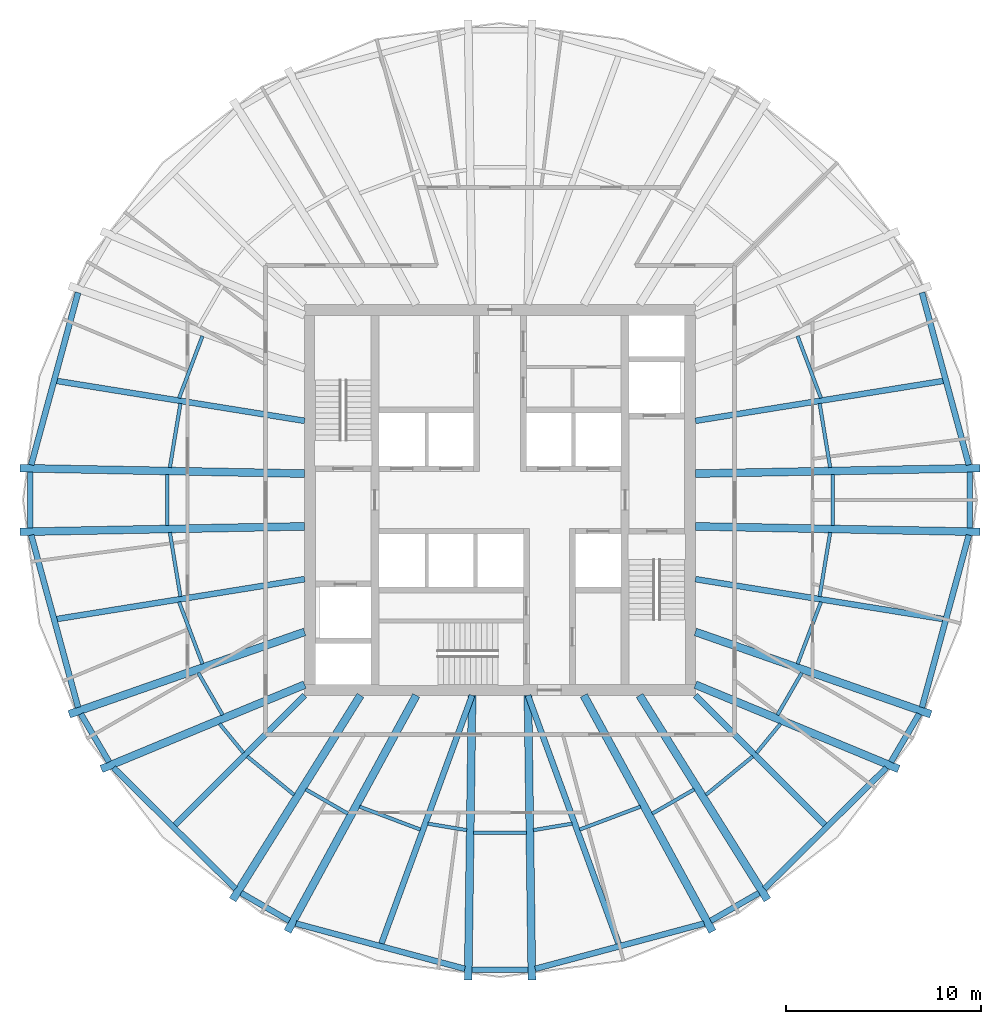
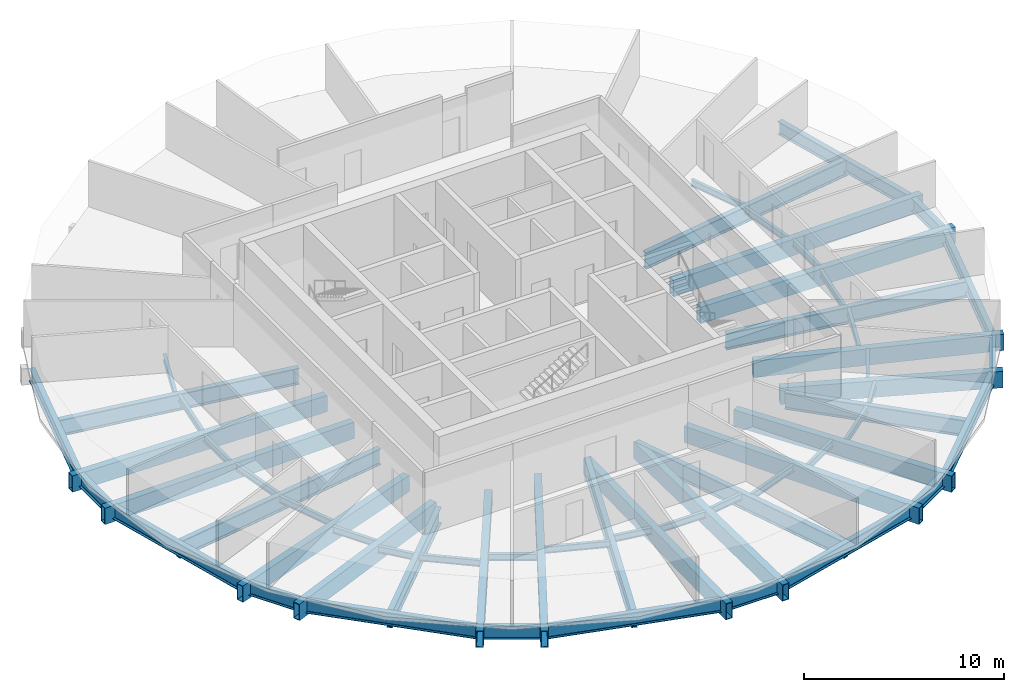
# One storey, part 1 of 6: 60 beams.
"""IFC4 building model written with IfcOpenShell, lengths in metres."""

from ifc_helpers import new_model, si_unit, direction, frame, origin, origin_2d, place, context, subcontext, project, spatial, hollow_rectangle, i_section, extrude, material, material_profile, profile_set, type_object, element, save


model = new_model("IFC4")

# Units and contexts
model_context = context("Model", 3, precision=1e-05, world=origin(), true_north=direction((0.0, 1.0)))
body_context = subcontext(model_context, "Body", "Model", "MODEL_VIEW")
ifc_project = project(units=[si_unit("LENGTHUNIT", "METRE"), si_unit("AREAUNIT", "SQUARE_METRE"), si_unit("VOLUMEUNIT", "CUBIC_METRE"), si_unit("PLANEANGLEUNIT", "RADIAN"), si_unit("MASSUNIT", "GRAM", prefix="KILO")], contexts=[model_context])

# Site, building, storey
site_placement = place(None, origin())
site = spatial("IfcSite", under=ifc_project, at=site_placement, CompositionType="ELEMENT")
building_placement = place(site_placement, origin())
building = spatial("IfcBuilding", under=site, at=building_placement, Name="Golbaran Civic Tower", CompositionType="ELEMENT")
storey_placement = place(building_placement, frame((0.0, 0.0, 122.0)))
storey = spatial("IfcBuildingStorey", under=building, at=storey_placement, Name="L29", CompositionType="ELEMENT", Elevation=122.0)

# Beams
ifc_material = material(Name="Steel S355", Category="steel")
ifc_material_profile_1 = material_profile(ifc_material, i_section(OverallWidth=0.300048828125, OverallDepth=0.800048828125, WebThickness=0.017578125, FlangeThickness=0.032958984375, FilletRadius=0.030029296875, at=origin_2d()), Name="HEB 800")
ifc_profile_set_1 = profile_set([ifc_material_profile_1], Name="Steel S355")
beam_type_1 = type_object("IfcBeamType", Name="EDGE BEAM HEB 800", PredefinedType="BEAM", material=ifc_profile_set_1)
for number, where, z_axis, x_axis, name in (
    (1, (23.990966796875, 1.79736328125, -0.60009765625), (-0.262619988376, 0.964899342784, 0.0), (-0.964899342784, -0.262619988376, 0.0), "Edge beam 3.73 L29"),
    (2, (-21.59130859375, 10.614013671875, -0.60009765625), (-0.262619988376, -0.964899342784, 0.0), (0.964899342784, -0.262619988376, 0.0), "Edge beam 153.73 L29"),
):
    element("IfcBeam", number, at=place(storey_placement, frame(where, z_axis=z_axis, x_axis=x_axis)), inside=storey, type_object=beam_type_1, Name=name, PredefinedType="BEAM", context=body_context, shape_type="SweptSolid", body=[
        extrude(i_section(OverallWidth=0.300048828125, OverallDepth=0.800048828125, WebThickness=0.017578125, FlangeThickness=0.032958984375, FilletRadius=0.030029296875, at=origin_2d()), origin(), (0.0, 0.0, 1.0), 9.137451171875),
    ])
beam_1_placement = place(storey_placement, frame((-24.039794921875, 1.438232421875, -0.60009765625), z_axis=(0.0, -1.0, 0.0), x_axis=(1.0, 0.0, 0.0)))
element("IfcBeam", 3, at=beam_1_placement, inside=storey, type_object=beam_type_1, Name="Edge beam 176.27 L29", PredefinedType="BEAM", context=body_context, shape_type="SweptSolid", body=[
    extrude(i_section(OverallWidth=0.300048828125, OverallDepth=0.800048828125, WebThickness=0.017578125, FlangeThickness=0.032958984375, FilletRadius=0.030029296875, at=origin_2d()), origin(), (0.0, 0.0, 1.0), 2.87646484375),
])
beam_2_placement = place(storey_placement, frame((-23.990966796875, -1.79736328125, -0.60009765625), z_axis=(0.262619988376, -0.964899342784, 0.0), x_axis=(0.964899342784, 0.262619988376, 0.0)))
element("IfcBeam", 4, at=beam_2_placement, inside=storey, type_object=beam_type_1, Name="Edge beam 183.73 L29", PredefinedType="BEAM", context=body_context, shape_type="SweptSolid", body=[
    extrude(i_section(OverallWidth=0.300048828125, OverallDepth=0.800048828125, WebThickness=0.017578125, FlangeThickness=0.032958984375, FilletRadius=0.030029296875, at=origin_2d()), origin(), (0.0, 0.0, 1.0), 9.137451171875),
])
beam_3_placement = place(storey_placement, frame((-21.450927734375, -10.946533203125, -0.60009765625), z_axis=(0.506455190342, -0.862266281479, 0.0), x_axis=(0.862266281479, 0.506455190342, 0.0)))
element("IfcBeam", 5, at=beam_3_placement, inside=storey, type_object=beam_type_1, Name="Edge beam 206.27 L29", PredefinedType="BEAM", context=body_context, shape_type="SweptSolid", body=[
    extrude(i_section(OverallWidth=0.300048828125, OverallDepth=0.800048828125, WebThickness=0.017578125, FlangeThickness=0.032958984375, FilletRadius=0.030029296875, at=origin_2d()), origin(), (0.0, 0.0, 1.0), 2.852294921875),
])
beam_4_placement = place(storey_placement, frame((-19.775634765625, -13.7001953125, -0.60009765625), z_axis=(0.709865609088, -0.704337147277, 0.0), x_axis=(0.704337147277, 0.709865609088, 0.0)))
element("IfcBeam", 6, at=beam_4_placement, inside=storey, type_object=beam_type_1, Name="Edge beam 213.73 L29", PredefinedType="BEAM", context=body_context, shape_type="SweptSolid", body=[
    extrude(i_section(OverallWidth=0.300048828125, OverallDepth=0.800048828125, WebThickness=0.017578125, FlangeThickness=0.032958984375, FilletRadius=0.030029296875, at=origin_2d()), origin(), (0.0, 0.0, 1.0), 8.7880859375),
])
beam_5_placement = place(storey_placement, frame((-13.250244140625, -20.10986328125, -0.60009765625), z_axis=(0.866144257683, -0.49979408248, 0.0), x_axis=(0.49979408248, 0.866144257683, 0.0)))
element("IfcBeam", 7, at=beam_5_placement, inside=storey, type_object=beam_type_1, Name="Edge beam 236.27 L29", PredefinedType="BEAM", context=body_context, shape_type="SweptSolid", body=[
    extrude(i_section(OverallWidth=0.300048828125, OverallDepth=0.800048828125, WebThickness=0.017578125, FlangeThickness=0.032958984375, FilletRadius=0.030029296875, at=origin_2d()), origin(), (0.0, 0.0, 1.0), 2.852294921875),
])
beam_6_placement = place(storey_placement, frame((-10.445068359375, -21.67333984375, -0.60009765625), z_axis=(0.965861656645, -0.259058410831, 0.0), x_axis=(0.259058410831, 0.965861656645, 0.0)))
element("IfcBeam", 8, at=beam_6_placement, inside=storey, type_object=beam_type_1, Name="Edge beam 243.73 L29", PredefinedType="BEAM", context=body_context, shape_type="SweptSolid", body=[
    extrude(i_section(OverallWidth=0.300048828125, OverallDepth=0.800048828125, WebThickness=0.017578125, FlangeThickness=0.032958984375, FilletRadius=0.030029296875, at=origin_2d()), origin(), (0.0, 0.0, 1.0), 8.947265625),
])
beam_7_placement = place(storey_placement, frame((-1.44384765625, -24.039306640625, -0.60009765625), z_axis=(1.0, 0.0, 0.0), x_axis=(0.0, 1.0, 0.0)))
element("IfcBeam", 9, at=beam_7_placement, inside=storey, type_object=beam_type_1, Name="Edge beam 266.27 L29", PredefinedType="BEAM", context=body_context, shape_type="SweptSolid", body=[
    extrude(i_section(OverallWidth=0.300048828125, OverallDepth=0.800048828125, WebThickness=0.017578125, FlangeThickness=0.032958984375, FilletRadius=0.030029296875, at=origin_2d()), origin(), (0.0, 0.0, 1.0), 2.8876953125),
])
beam_8_placement = place(storey_placement, frame((1.80322265625, -23.9912109375, -0.60009765625), z_axis=(0.965861656645, 0.259058410831, 0.0), x_axis=(-0.259058410831, 0.965861656645, 0.0)))
element("IfcBeam", 10, at=beam_8_placement, inside=storey, type_object=beam_type_1, Name="Edge beam 273.73 L29", PredefinedType="BEAM", context=body_context, shape_type="SweptSolid", body=[
    extrude(i_section(OverallWidth=0.300048828125, OverallDepth=0.800048828125, WebThickness=0.017578125, FlangeThickness=0.032958984375, FilletRadius=0.030029296875, at=origin_2d()), origin(), (0.0, 0.0, 1.0), 8.947265625),
])
beam_9_placement = place(storey_placement, frame((10.77978515625, -21.535400390625, -0.60009765625), z_axis=(0.866144257683, 0.49979408248, 0.0), x_axis=(-0.49979408248, 0.866144257683, 0.0)))
element("IfcBeam", 11, at=beam_9_placement, inside=storey, type_object=beam_type_1, Name="Edge beam 296.27 L29", PredefinedType="BEAM", context=body_context, shape_type="SweptSolid", body=[
    extrude(i_section(OverallWidth=0.300048828125, OverallDepth=0.800048828125, WebThickness=0.017578125, FlangeThickness=0.032958984375, FilletRadius=0.030029296875, at=origin_2d()), origin(), (0.0, 0.0, 1.0), 2.852294921875),
])
beam_10_placement = place(storey_placement, frame((13.537353515625, -19.889892578125, -0.60009765625), z_axis=(0.709865609088, 0.704337147277, 0.0), x_axis=(-0.704337147277, 0.709865609088, 0.0)))
element("IfcBeam", 12, at=beam_10_placement, inside=storey, type_object=beam_type_1, Name="Edge beam 303.73 L29", PredefinedType="BEAM", context=body_context, shape_type="SweptSolid", body=[
    extrude(i_section(OverallWidth=0.300048828125, OverallDepth=0.800048828125, WebThickness=0.017578125, FlangeThickness=0.032958984375, FilletRadius=0.030029296875, at=origin_2d()), origin(), (0.0, 0.0, 1.0), 8.7880859375),
])
beam_11_placement = place(storey_placement, frame((20.00634765625, -13.406005859375, -0.60009765625), z_axis=(0.506455190342, 0.862266281479, 0.0), x_axis=(-0.862266281479, 0.506455190342, 0.0)))
element("IfcBeam", 13, at=beam_11_placement, inside=storey, type_object=beam_type_1, Name="Edge beam 326.27 L29", PredefinedType="BEAM", context=body_context, shape_type="SweptSolid", body=[
    extrude(i_section(OverallWidth=0.300048828125, OverallDepth=0.800048828125, WebThickness=0.017578125, FlangeThickness=0.032958984375, FilletRadius=0.030029296875, at=origin_2d()), origin(), (0.0, 0.0, 1.0), 2.852294921875),
])
beam_12_placement = place(storey_placement, frame((21.59130859375, -10.614013671875, -0.60009765625), z_axis=(0.262619988376, 0.964899342784, 0.0), x_axis=(-0.964899342784, 0.262619988376, 0.0)))
element("IfcBeam", 14, at=beam_12_placement, inside=storey, type_object=beam_type_1, Name="Edge beam 333.73 L29", PredefinedType="BEAM", context=body_context, shape_type="SweptSolid", body=[
    extrude(i_section(OverallWidth=0.300048828125, OverallDepth=0.800048828125, WebThickness=0.017578125, FlangeThickness=0.032958984375, FilletRadius=0.030029296875, at=origin_2d()), origin(), (0.0, 0.0, 1.0), 9.137451171875),
])
beam_13_placement = place(storey_placement, frame((24.039794921875, -1.438232421875, -0.60009765625), z_axis=(0.0, 1.0, 0.0), x_axis=(-1.0, 0.0, 0.0)))
element("IfcBeam", 15, at=beam_13_placement, inside=storey, type_object=beam_type_1, Name="Edge beam 356.27 L29", PredefinedType="BEAM", context=body_context, shape_type="SweptSolid", body=[
    extrude(i_section(OverallWidth=0.300048828125, OverallDepth=0.800048828125, WebThickness=0.017578125, FlangeThickness=0.032958984375, FilletRadius=0.030029296875, at=origin_2d()), origin(), (0.0, 0.0, 1.0), 2.87646484375),
])
ifc_material_profile_2 = material_profile(ifc_material, i_section(OverallWidth=0.179931640625, OverallDepth=0.39990234375, WebThickness=0.008544921875, FlangeThickness=0.013427734375, FilletRadius=0.02099609375, at=origin_2d()), Name="IPE 400")
ifc_profile_set_2 = profile_set([ifc_material_profile_2], Name="Steel S355")
beam_type_2 = type_object("IfcBeamType", Name="FLOOR INFILL BEAM IPE 400", PredefinedType="BEAM", material=ifc_profile_set_2)
beam_14_placement = place(storey_placement, frame((16.894775390625, 1.66162109375, -0.39990234375), z_axis=(-0.162683667256, 0.986678278066, 0.0), x_axis=(-0.986678278066, -0.162683667256, 0.0)))
element("IfcBeam", 16, at=beam_14_placement, inside=storey, type_object=beam_type_2, Name="Infill beam 9.36 L29", PredefinedType="BEAM", context=body_context, shape_type="SweptSolid", body=[
    extrude(i_section(OverallWidth=0.179931640625, OverallDepth=0.39990234375, WebThickness=0.008544921875, FlangeThickness=0.013427734375, FilletRadius=0.02099609375, at=origin_2d()), origin(), (0.0, 0.0, 1.0), 3.323974609375),
])
for number, where, z_axis, x_axis, name in (
    (17, (16.421630859375, 5.215576171875, -0.39990234375), (-0.352425498289, 0.935839873138, 0.0), (-0.935839873138, -0.352425498289, 0.0), "Infill beam 20.64 L29"),
    (18, (-15.22705078125, 8.3876953125, -0.39990234375), (-0.352425498289, -0.935839873138, 0.0), (0.935839873138, -0.352425498289, 0.0), "Infill beam 159.36 L29"),
):
    element("IfcBeam", number, at=place(storey_placement, frame(where, z_axis=z_axis, x_axis=x_axis)), inside=storey, type_object=beam_type_2, Name=name, PredefinedType="BEAM", context=body_context, shape_type="SweptSolid", body=[
        extrude(i_section(OverallWidth=0.179931640625, OverallDepth=0.39990234375, WebThickness=0.008544921875, FlangeThickness=0.013427734375, FilletRadius=0.02099609375, at=origin_2d()), origin(), (0.0, 0.0, 1.0), 3.3896484375),
    ])
beam_15_placement = place(storey_placement, frame((-16.35400390625, 4.94140625, -0.39990234375), z_axis=(-0.162683667256, -0.986678278066, 0.0), x_axis=(0.986678278066, -0.162683667256, 0.0)))
element("IfcBeam", 19, at=beam_15_placement, inside=storey, type_object=beam_type_2, Name="Infill beam 170.64 L29", PredefinedType="BEAM", context=body_context, shape_type="SweptSolid", body=[
    extrude(i_section(OverallWidth=0.179931640625, OverallDepth=0.39990234375, WebThickness=0.008544921875, FlangeThickness=0.013427734375, FilletRadius=0.02099609375, at=origin_2d()), origin(), (0.0, 0.0, 1.0), 3.323974609375),
])
beam_16_placement = place(storey_placement, frame((-17.019775390625, 1.303955078125, -0.39990234375), z_axis=(0.0, -1.0, 0.0), x_axis=(1.0, 0.0, 0.0)))
element("IfcBeam", 20, at=beam_16_placement, inside=storey, type_object=beam_type_2, Name="Infill beam 180.00 L29", PredefinedType="BEAM", context=body_context, shape_type="SweptSolid", body=[
    extrude(i_section(OverallWidth=0.179931640625, OverallDepth=0.39990234375, WebThickness=0.008544921875, FlangeThickness=0.013427734375, FilletRadius=0.02099609375, at=origin_2d()), origin(), (0.0, 0.0, 1.0), 2.60791015625),
])
beam_17_placement = place(storey_placement, frame((-16.894775390625, -1.66162109375, -0.39990234375), z_axis=(0.162683667256, -0.986678278066, 0.0), x_axis=(0.986678278066, 0.162683667256, 0.0)))
element("IfcBeam", 21, at=beam_17_placement, inside=storey, type_object=beam_type_2, Name="Infill beam 189.36 L29", PredefinedType="BEAM", context=body_context, shape_type="SweptSolid", body=[
    extrude(i_section(OverallWidth=0.179931640625, OverallDepth=0.39990234375, WebThickness=0.008544921875, FlangeThickness=0.013427734375, FilletRadius=0.02099609375, at=origin_2d()), origin(), (0.0, 0.0, 1.0), 3.323974609375),
])
beam_18_placement = place(storey_placement, frame((-16.421630859375, -5.215576171875, -0.39990234375), z_axis=(0.352425498289, -0.935839873138, 0.0), x_axis=(0.935839873138, 0.352425498289, 0.0)))
element("IfcBeam", 22, at=beam_18_placement, inside=storey, type_object=beam_type_2, Name="Infill beam 200.64 L29", PredefinedType="BEAM", context=body_context, shape_type="SweptSolid", body=[
    extrude(i_section(OverallWidth=0.179931640625, OverallDepth=0.39990234375, WebThickness=0.008544921875, FlangeThickness=0.013427734375, FilletRadius=0.02099609375, at=origin_2d()), origin(), (0.0, 0.0, 1.0), 3.3896484375),
])
beam_19_placement = place(storey_placement, frame((-15.440673828125, -8.843994140625, -0.39990234375), z_axis=(0.499963362494, -0.866046555425, 0.0), x_axis=(0.866046555425, 0.499963362494, 0.0)))
element("IfcBeam", 23, at=beam_19_placement, inside=storey, type_object=beam_type_2, Name="Infill beam 210.00 L29", PredefinedType="BEAM", context=body_context, shape_type="SweptSolid", body=[
    extrude(i_section(OverallWidth=0.179931640625, OverallDepth=0.39990234375, WebThickness=0.008544921875, FlangeThickness=0.013427734375, FilletRadius=0.02099609375, at=origin_2d()), origin(), (0.0, 0.0, 1.0), 2.485595703125),
])
beam_20_placement = place(storey_placement, frame((-14.35009765625, -11.449462890625, -0.39990234375), z_axis=(0.634256529403, -0.773122664853, 0.0), x_axis=(0.773122664853, 0.634256529403, 0.0)))
element("IfcBeam", 24, at=beam_20_placement, inside=storey, type_object=beam_type_2, Name="Infill beam 219.36 L29", PredefinedType="BEAM", context=body_context, shape_type="SweptSolid", body=[
    extrude(i_section(OverallWidth=0.179931640625, OverallDepth=0.39990234375, WebThickness=0.008544921875, FlangeThickness=0.013427734375, FilletRadius=0.02099609375, at=origin_2d()), origin(), (0.0, 0.0, 1.0), 1.930419921875),
])
beam_21_placement = place(storey_placement, frame((-12.935546875, -13.119384765625, -0.39990234375), z_axis=(0.773175225242, -0.634192455862, 0.0), x_axis=(0.634192455862, 0.773175225242, 0.0)))
element("IfcBeam", 25, at=beam_21_placement, inside=storey, type_object=beam_type_2, Name="Infill beam 230.64 L29", PredefinedType="BEAM", context=body_context, shape_type="SweptSolid", body=[
    extrude(i_section(OverallWidth=0.179931640625, OverallDepth=0.39990234375, WebThickness=0.008544921875, FlangeThickness=0.013427734375, FilletRadius=0.02099609375, at=origin_2d()), origin(), (0.0, 0.0, 1.0), 3.10400390625),
])
beam_22_placement = place(storey_placement, frame((-9.93701171875, -14.809326171875, -0.39990234375), z_axis=(0.866029879506, -0.499992247743, 0.0), x_axis=(0.499992247743, 0.866029879506, 0.0)))
element("IfcBeam", 26, at=beam_22_placement, inside=storey, type_object=beam_type_2, Name="Infill beam 240.00 L29", PredefinedType="BEAM", context=body_context, shape_type="SweptSolid", body=[
    extrude(i_section(OverallWidth=0.179931640625, OverallDepth=0.39990234375, WebThickness=0.008544921875, FlangeThickness=0.013427734375, FilletRadius=0.02099609375, at=origin_2d()), origin(), (0.0, 0.0, 1.0), 2.48046875),
])
beam_23_placement = place(storey_placement, frame((-7.185302734375, -15.6943359375, -0.39990234375), z_axis=(0.935854257821, -0.352387298462, 0.0), x_axis=(0.352387298462, 0.935854257821, 0.0)))
element("IfcBeam", 27, at=beam_23_placement, inside=storey, type_object=beam_type_2, Name="Infill beam 249.36 L29", PredefinedType="BEAM", context=body_context, shape_type="SweptSolid", body=[
    extrude(i_section(OverallWidth=0.179931640625, OverallDepth=0.39990234375, WebThickness=0.008544921875, FlangeThickness=0.013427734375, FilletRadius=0.02099609375, at=origin_2d()), origin(), (0.0, 0.0, 1.0), 3.32275390625),
])
beam_24_placement = place(storey_placement, frame((-3.689208984375, -16.5654296875, -0.39990234375), z_axis=(0.98668433235, -0.162646943701, 0.0), x_axis=(0.162646943701, 0.98668433235, 0.0)))
element("IfcBeam", 28, at=beam_24_placement, inside=storey, type_object=beam_type_2, Name="Infill beam 260.64 L29", PredefinedType="BEAM", context=body_context, shape_type="SweptSolid", body=[
    extrude(i_section(OverallWidth=0.179931640625, OverallDepth=0.39990234375, WebThickness=0.008544921875, FlangeThickness=0.013427734375, FilletRadius=0.02099609375, at=origin_2d()), origin(), (0.0, 0.0, 1.0), 2.011474609375),
])
beam_25_placement = place(storey_placement, frame((-1.34619140625, -17.019775390625, -0.39990234375), z_axis=(1.0, 0.0, 0.0), x_axis=(0.0, 1.0, 0.0)))
element("IfcBeam", 29, at=beam_25_placement, inside=storey, type_object=beam_type_2, Name="Infill beam 270.00 L29", PredefinedType="BEAM", context=body_context, shape_type="SweptSolid", body=[
    extrude(i_section(OverallWidth=0.179931640625, OverallDepth=0.39990234375, WebThickness=0.008544921875, FlangeThickness=0.013427734375, FilletRadius=0.02099609375, at=origin_2d()), origin(), (0.0, 0.0, 1.0), 2.6923828125),
])
beam_26_placement = place(storey_placement, frame((1.70458984375, -16.892578125, -0.39990234375), z_axis=(0.98668433235, 0.162646943701, 0.0), x_axis=(-0.162646943701, 0.98668433235, 0.0)))
element("IfcBeam", 30, at=beam_26_placement, inside=storey, type_object=beam_type_2, Name="Infill beam 279.36 L29", PredefinedType="BEAM", context=body_context, shape_type="SweptSolid", body=[
    extrude(i_section(OverallWidth=0.179931640625, OverallDepth=0.39990234375, WebThickness=0.008544921875, FlangeThickness=0.013427734375, FilletRadius=0.02099609375, at=origin_2d()), origin(), (0.0, 0.0, 1.0), 2.011474609375),
])
beam_27_placement = place(storey_placement, frame((4.07568359375, -16.865234375, -0.39990234375), z_axis=(0.935854257821, 0.352387298462, 0.0), x_axis=(-0.352387298462, 0.935854257821, 0.0)))
element("IfcBeam", 31, at=beam_27_placement, inside=storey, type_object=beam_type_2, Name="Infill beam 290.64 L29", PredefinedType="BEAM", context=body_context, shape_type="SweptSolid", body=[
    extrude(i_section(OverallWidth=0.179931640625, OverallDepth=0.39990234375, WebThickness=0.008544921875, FlangeThickness=0.013427734375, FilletRadius=0.02099609375, at=origin_2d()), origin(), (0.0, 0.0, 1.0), 3.32275390625),
])
beam_28_placement = place(storey_placement, frame((7.788818359375, -16.049560546875, -0.39990234375), z_axis=(0.866029879506, 0.499992247743, 0.0), x_axis=(-0.499992247743, 0.866029879506, 0.0)))
element("IfcBeam", 32, at=beam_28_placement, inside=storey, type_object=beam_type_2, Name="Infill beam 300.00 L29", PredefinedType="BEAM", context=body_context, shape_type="SweptSolid", body=[
    extrude(i_section(OverallWidth=0.179931640625, OverallDepth=0.39990234375, WebThickness=0.008544921875, FlangeThickness=0.013427734375, FilletRadius=0.02099609375, at=origin_2d()), origin(), (0.0, 0.0, 1.0), 2.48046875),
])
beam_29_placement = place(storey_placement, frame((10.53564453125, -15.087890625, -0.39990234375), z_axis=(0.773175225242, 0.634192455862, 0.0), x_axis=(-0.634192455862, 0.773175225242, 0.0)))
element("IfcBeam", 33, at=beam_29_placement, inside=storey, type_object=beam_type_2, Name="Infill beam 309.36 L29", PredefinedType="BEAM", context=body_context, shape_type="SweptSolid", body=[
    extrude(i_section(OverallWidth=0.179931640625, OverallDepth=0.39990234375, WebThickness=0.008544921875, FlangeThickness=0.013427734375, FilletRadius=0.02099609375, at=origin_2d()), origin(), (0.0, 0.0, 1.0), 3.10400390625),
])
beam_30_placement = place(storey_placement, frame((13.125732421875, -12.94189453125, -0.39990234375), z_axis=(0.634256529403, 0.773122664853, 0.0), x_axis=(-0.773122664853, 0.634256529403, 0.0)))
element("IfcBeam", 34, at=beam_30_placement, inside=storey, type_object=beam_type_2, Name="Infill beam 320.64 L29", PredefinedType="BEAM", context=body_context, shape_type="SweptSolid", body=[
    extrude(i_section(OverallWidth=0.179931640625, OverallDepth=0.39990234375, WebThickness=0.008544921875, FlangeThickness=0.013427734375, FilletRadius=0.02099609375, at=origin_2d()), origin(), (0.0, 0.0, 1.0), 1.930419921875),
])
beam_31_placement = place(storey_placement, frame((14.197998046875, -10.99658203125, -0.39990234375), z_axis=(0.499963362494, 0.866046555425, 0.0), x_axis=(-0.866046555425, 0.499963362494, 0.0)))
element("IfcBeam", 35, at=beam_31_placement, inside=storey, type_object=beam_type_2, Name="Infill beam 330.00 L29", PredefinedType="BEAM", context=body_context, shape_type="SweptSolid", body=[
    extrude(i_section(OverallWidth=0.179931640625, OverallDepth=0.39990234375, WebThickness=0.008544921875, FlangeThickness=0.013427734375, FilletRadius=0.02099609375, at=origin_2d()), origin(), (0.0, 0.0, 1.0), 2.485595703125),
])
beam_32_placement = place(storey_placement, frame((15.22705078125, -8.3876953125, -0.39990234375), z_axis=(0.352425498289, 0.935839873138, 0.0), x_axis=(-0.935839873138, 0.352425498289, 0.0)))
element("IfcBeam", 36, at=beam_32_placement, inside=storey, type_object=beam_type_2, Name="Infill beam 339.36 L29", PredefinedType="BEAM", context=body_context, shape_type="SweptSolid", body=[
    extrude(i_section(OverallWidth=0.179931640625, OverallDepth=0.39990234375, WebThickness=0.008544921875, FlangeThickness=0.013427734375, FilletRadius=0.02099609375, at=origin_2d()), origin(), (0.0, 0.0, 1.0), 3.3896484375),
])
beam_33_placement = place(storey_placement, frame((16.35400390625, -4.94140625, -0.39990234375), z_axis=(0.162683667256, 0.986678278066, 0.0), x_axis=(-0.986678278066, 0.162683667256, 0.0)))
element("IfcBeam", 37, at=beam_33_placement, inside=storey, type_object=beam_type_2, Name="Infill beam 350.64 L29", PredefinedType="BEAM", context=body_context, shape_type="SweptSolid", body=[
    extrude(i_section(OverallWidth=0.179931640625, OverallDepth=0.39990234375, WebThickness=0.008544921875, FlangeThickness=0.013427734375, FilletRadius=0.02099609375, at=origin_2d()), origin(), (0.0, 0.0, 1.0), 3.323974609375),
])
beam_34_placement = place(storey_placement, frame((17.019775390625, -1.303955078125, -0.39990234375), z_axis=(0.0, 1.0, 0.0), x_axis=(-1.0, 0.0, 0.0)))
element("IfcBeam", 38, at=beam_34_placement, inside=storey, type_object=beam_type_2, Name="Infill beam 0.00 L29", PredefinedType="BEAM", context=body_context, shape_type="SweptSolid", body=[
    extrude(i_section(OverallWidth=0.179931640625, OverallDepth=0.39990234375, WebThickness=0.008544921875, FlangeThickness=0.013427734375, FilletRadius=0.02099609375, at=origin_2d()), origin(), (0.0, 0.0, 1.0), 2.60791015625),
])
ifc_material_profile_3 = material_profile(ifc_material, hollow_rectangle(XDim=0.39990234375, YDim=1.0, WallThickness=0.0400390625, at=origin_2d()), Name="BOX 1000x400x40")
ifc_profile_set_3 = profile_set([ifc_material_profile_3], Name="Steel S355")
beam_type_3 = type_object("IfcBeamType", Name="RADIAL FLOOR BEAM BOX 1000x400x40", PredefinedType="BEAM", material=ifc_profile_set_3)
for number, where, z_axis, x_axis, name in (
    (39, (10.0, 1.35009765625, -0.7099609375), (0.999817660129, 0.019095719278, 0.0), (-0.019095719278, 0.999817660129, 0.0), "Radial beam 3.73 L29"),
    (40, (-10.0, 1.35009765625, -0.7099609375), (-0.999817660129, 0.019095719278, 0.0), (-0.019095719278, -0.999817660129, 0.0), "Radial beam 176.27 L29"),
    (41, (-10.0, -1.35009765625, -0.7099609375), (-0.999817660129, -0.019095719278, 0.0), (0.019095719278, -0.999817660129, 0.0), "Radial beam 183.73 L29"),
):
    element("IfcBeam", number, at=place(storey_placement, frame(where, z_axis=z_axis, x_axis=x_axis)), inside=storey, type_object=beam_type_3, Name=name, PredefinedType="BEAM", context=body_context, shape_type="SweptSolid", body=[
        extrude(hollow_rectangle(XDim=0.39990234375, YDim=1.0, WallThickness=0.0400390625, at=origin_2d()), origin(), (0.0, 0.0, 1.0), 14.562255859375),
    ])
beam_35_placement = place(storey_placement, frame((-10.0, -6.75, -0.7099609375), z_axis=(-0.943913820373, -0.330191913451, 0.0), x_axis=(0.330191913451, -0.943913820373, 0.0)))
element("IfcBeam", 42, at=beam_35_placement, inside=storey, type_object=beam_type_3, Name="Radial beam 206.27 L29", PredefinedType="BEAM", context=body_context, shape_type="SweptSolid", body=[
    extrude(hollow_rectangle(XDim=0.39990234375, YDim=1.0, WallThickness=0.0400390625, at=origin_2d()), origin(), (0.0, 0.0, 1.0), 12.76123046875),
])
beam_36_placement = place(storey_placement, frame((-10.0, -9.449951171875, -0.7099609375), z_axis=(-0.92367509905, -0.383176606011, 0.0), x_axis=(0.383176606011, -0.92367509905, 0.0)))
element("IfcBeam", 43, at=beam_36_placement, inside=storey, type_object=beam_type_3, Name="Radial beam 213.73 L29", PredefinedType="BEAM", context=body_context, shape_type="SweptSolid", body=[
    extrude(hollow_rectangle(XDim=0.39990234375, YDim=1.0, WallThickness=0.0400390625, at=origin_2d()), origin(), (0.0, 0.0, 1.0), 11.257080078125),
])
beam_37_placement = place(storey_placement, frame((-7.142822265625, -10.0, -0.7099609375), z_axis=(-0.53006119761, -0.847959389822, 0.0), x_axis=(0.847959389822, -0.53006119761, 0.0)))
element("IfcBeam", 44, at=beam_37_placement, inside=storey, type_object=beam_type_3, Name="Radial beam 236.27 L29", PredefinedType="BEAM", context=body_context, shape_type="SweptSolid", body=[
    extrude(hollow_rectangle(XDim=0.39990234375, YDim=1.0, WallThickness=0.0400390625, at=origin_2d()), origin(), (0.0, 0.0, 1.0), 12.3369140625),
])
beam_38_placement = place(storey_placement, frame((-4.28564453125, -10.0, -0.7099609375), z_axis=(-0.478681826436, -0.877988444708, 0.0), x_axis=(0.877988444708, -0.478681826436, 0.0)))
element("IfcBeam", 45, at=beam_38_placement, inside=storey, type_object=beam_type_3, Name="Radial beam 243.73 L29", PredefinedType="BEAM", context=body_context, shape_type="SweptSolid", body=[
    extrude(hollow_rectangle(XDim=0.39990234375, YDim=1.0, WallThickness=0.0400390625, at=origin_2d()), origin(), (0.0, 0.0, 1.0), 13.760986328125),
])
for number, where, z_axis, x_axis, name in (
    (46, (-1.428466796875, -10.0, -0.7099609375), (-0.013916653336, -0.999903158691, 0.0), (0.999903158691, -0.013916653336, 0.0), "Radial beam 266.27 L29"),
    (47, (1.428466796875, -10.0, -0.7099609375), (0.013916653336, -0.999903158691, 0.0), (0.999903158691, 0.013916653336, 0.0), "Radial beam 273.73 L29"),
):
    element("IfcBeam", number, at=place(storey_placement, frame(where, z_axis=z_axis, x_axis=x_axis)), inside=storey, type_object=beam_type_3, Name=name, PredefinedType="BEAM", context=body_context, shape_type="SweptSolid", body=[
        extrude(hollow_rectangle(XDim=0.39990234375, YDim=1.0, WallThickness=0.0400390625, at=origin_2d()), origin(), (0.0, 0.0, 1.0), 14.560791015625),
    ])
beam_39_placement = place(storey_placement, frame((4.28564453125, -10.0, -0.7099609375), z_axis=(0.478681826436, -0.877988444708, 0.0), x_axis=(0.877988444708, 0.478681826436, 0.0)))
element("IfcBeam", 48, at=beam_39_placement, inside=storey, type_object=beam_type_3, Name="Radial beam 296.27 L29", PredefinedType="BEAM", context=body_context, shape_type="SweptSolid", body=[
    extrude(hollow_rectangle(XDim=0.39990234375, YDim=1.0, WallThickness=0.0400390625, at=origin_2d()), origin(), (0.0, 0.0, 1.0), 13.760986328125),
])
beam_40_placement = place(storey_placement, frame((7.142822265625, -10.0, -0.7099609375), z_axis=(0.53006119761, -0.847959389822, 0.0), x_axis=(0.847959389822, 0.53006119761, 0.0)))
element("IfcBeam", 49, at=beam_40_placement, inside=storey, type_object=beam_type_3, Name="Radial beam 303.73 L29", PredefinedType="BEAM", context=body_context, shape_type="SweptSolid", body=[
    extrude(hollow_rectangle(XDim=0.39990234375, YDim=1.0, WallThickness=0.0400390625, at=origin_2d()), origin(), (0.0, 0.0, 1.0), 12.3369140625),
])
beam_41_placement = place(storey_placement, frame((10.0, -9.449951171875, -0.7099609375), z_axis=(0.92367509905, -0.383176606011, 0.0), x_axis=(0.383176606011, 0.92367509905, 0.0)))
element("IfcBeam", 50, at=beam_41_placement, inside=storey, type_object=beam_type_3, Name="Radial beam 326.27 L29", PredefinedType="BEAM", context=body_context, shape_type="SweptSolid", body=[
    extrude(hollow_rectangle(XDim=0.39990234375, YDim=1.0, WallThickness=0.0400390625, at=origin_2d()), origin(), (0.0, 0.0, 1.0), 11.257080078125),
])
beam_42_placement = place(storey_placement, frame((10.0, -6.75, -0.7099609375), z_axis=(0.943913820373, -0.330191913451, 0.0), x_axis=(0.330191913451, 0.943913820373, 0.0)))
element("IfcBeam", 51, at=beam_42_placement, inside=storey, type_object=beam_type_3, Name="Radial beam 333.73 L29", PredefinedType="BEAM", context=body_context, shape_type="SweptSolid", body=[
    extrude(hollow_rectangle(XDim=0.39990234375, YDim=1.0, WallThickness=0.0400390625, at=origin_2d()), origin(), (0.0, 0.0, 1.0), 12.76123046875),
])
beam_43_placement = place(storey_placement, frame((10.0, -1.35009765625, -0.7099609375), z_axis=(0.999817660129, -0.019095719278, 0.0), x_axis=(0.019095719278, 0.999817660129, 0.0)))
element("IfcBeam", 52, at=beam_43_placement, inside=storey, type_object=beam_type_3, Name="Radial beam 356.27 L29", PredefinedType="BEAM", context=body_context, shape_type="SweptSolid", body=[
    extrude(hollow_rectangle(XDim=0.39990234375, YDim=1.0, WallThickness=0.0400390625, at=origin_2d()), origin(), (0.0, 0.0, 1.0), 14.562255859375),
])
ifc_material_profile_4 = material_profile(ifc_material, i_section(OverallWidth=0.300048828125, OverallDepth=1.0, WebThickness=0.01904296875, FlangeThickness=0.035888671875, FilletRadius=0.030029296875, at=origin_2d()), Name="HEB 1000")
ifc_profile_set_4 = profile_set([ifc_material_profile_4], Name="Steel S355")
beam_type_4 = type_object("IfcBeamType", Name="SECONDARY FLOOR BEAM HEB 1000", PredefinedType="BEAM", material=ifc_profile_set_4)
for number, where, z_axis, x_axis, name in (
    (53, (10.0, 4.050048828125, -0.7099609375), (0.987285239674, 0.158958659791, 0.0), (-0.158958659791, 0.987285239674, 0.0), "Secondary beam 15.00 L29"),
    (54, (-10.0, 4.050048828125, -0.7099609375), (-0.987285239674, 0.158958659791, 0.0), (-0.158958659791, -0.987285239674, 0.0), "Secondary beam 165.00 L29"),
    (55, (-10.0, -4.050048828125, -0.7099609375), (-0.987285239674, -0.158958659791, 0.0), (0.158958659791, -0.987285239674, 0.0), "Secondary beam 195.00 L29"),
):
    element("IfcBeam", number, at=place(storey_placement, frame(where, z_axis=z_axis, x_axis=x_axis)), inside=storey, type_object=beam_type_4, Name=name, PredefinedType="BEAM", context=body_context, shape_type="SweptSolid", body=[
        extrude(i_section(OverallWidth=0.300048828125, OverallDepth=1.0, WebThickness=0.01904296875, FlangeThickness=0.035888671875, FilletRadius=0.030029296875, at=origin_2d()), origin(), (0.0, 0.0, 1.0), 12.981201171875),
    ])
beam_44_placement = place(storey_placement, frame((-10.0, -10.0, -0.7099609375), z_axis=(-0.707106781187, -0.707106781187, 0.0), x_axis=(0.707106781187, -0.707106781187, 0.0)))
element("IfcBeam", 56, at=beam_44_placement, inside=storey, type_object=beam_type_4, Name="Secondary beam 225.00 L29", PredefinedType="BEAM", context=body_context, shape_type="SweptSolid", body=[
    extrude(i_section(OverallWidth=0.300048828125, OverallDepth=1.0, WebThickness=0.01904296875, FlangeThickness=0.035888671875, FilletRadius=0.030029296875, at=origin_2d()), origin(), (0.0, 0.0, 1.0), 9.51220703125),
])
for number, where, z_axis, x_axis, name in (
    (57, (-1.428466796875, -10.0, -0.7099609375), (-0.343231753632, -0.939250745701, 0.0), (0.939250745701, -0.343231753632, 0.0), "Secondary beam 255.00 L29"),
    (58, (1.428466796875, -10.0, -0.7099609375), (0.343231753632, -0.939250745701, 0.0), (0.939250745701, 0.343231753632, 0.0), "Secondary beam 285.00 L29"),
):
    element("IfcBeam", number, at=place(storey_placement, frame(where, z_axis=z_axis, x_axis=x_axis)), inside=storey, type_object=beam_type_4, Name=name, PredefinedType="BEAM", context=body_context, shape_type="SweptSolid", body=[
        extrude(i_section(OverallWidth=0.300048828125, OverallDepth=1.0, WebThickness=0.01904296875, FlangeThickness=0.035888671875, FilletRadius=0.030029296875, at=origin_2d()), origin(), (0.0, 0.0, 1.0), 13.6640625),
    ])
beam_45_placement = place(storey_placement, frame((10.0, -10.0, -0.7099609375), z_axis=(0.707106781187, -0.707106781187, 0.0), x_axis=(0.707106781187, 0.707106781187, 0.0)))
element("IfcBeam", 59, at=beam_45_placement, inside=storey, type_object=beam_type_4, Name="Secondary beam 315.00 L29", PredefinedType="BEAM", context=body_context, shape_type="SweptSolid", body=[
    extrude(i_section(OverallWidth=0.300048828125, OverallDepth=1.0, WebThickness=0.01904296875, FlangeThickness=0.035888671875, FilletRadius=0.030029296875, at=origin_2d()), origin(), (0.0, 0.0, 1.0), 9.51220703125),
])
beam_46_placement = place(storey_placement, frame((10.0, -4.050048828125, -0.7099609375), z_axis=(0.987285239674, -0.158958659791, 0.0), x_axis=(0.158958659791, 0.987285239674, 0.0)))
element("IfcBeam", 60, at=beam_46_placement, inside=storey, type_object=beam_type_4, Name="Secondary beam 345.00 L29", PredefinedType="BEAM", context=body_context, shape_type="SweptSolid", body=[
    extrude(i_section(OverallWidth=0.300048828125, OverallDepth=1.0, WebThickness=0.01904296875, FlangeThickness=0.035888671875, FilletRadius=0.030029296875, at=origin_2d()), origin(), (0.0, 0.0, 1.0), 12.981201171875),
])

save(model, "model.ifc")
